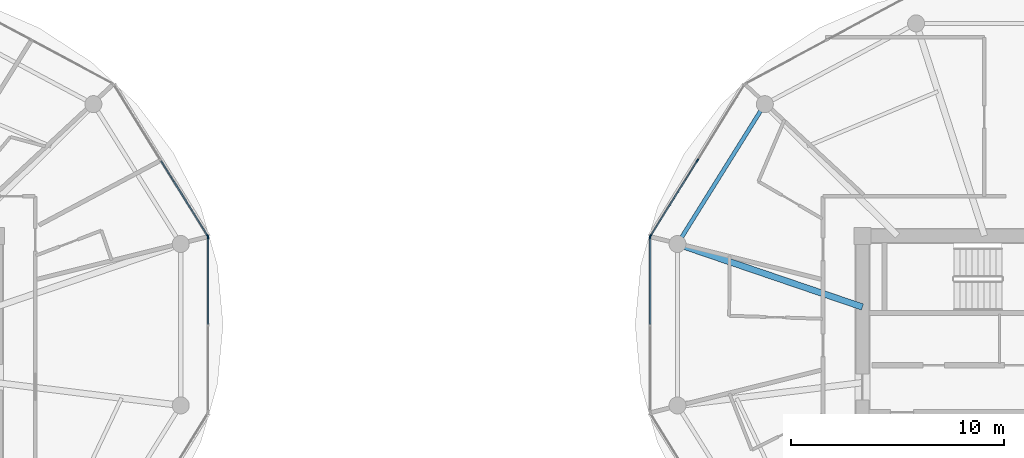
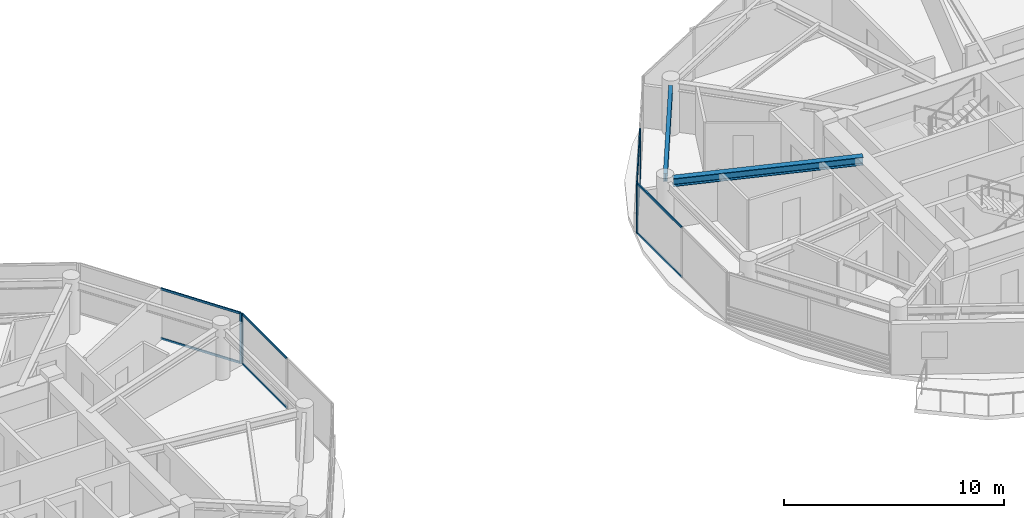
# One storey, part 7 of 24: 13 members, 2 beams, 4 elements without a shape of their own.
"""IFC4 building model written with IfcOpenShell, lengths in metres."""

from ifc_helpers import new_model, si_unit, direction, frame, origin, origin_2d, place, context, subcontext, project, spatial, rectangle, i_section, extrude, source, transform, mapped, material, layer, layer_set, material_profile, profile_set, type_object, type_shapes, element, aggregate, save


model = new_model("IFC4")

# Units and contexts
model_context = context("Model", 3, precision=1e-05, world=origin(), true_north=direction((0.0, 1.0)))
body_context = subcontext(model_context, "Body", "Model", "MODEL_VIEW")
ifc_project = project(units=[si_unit("LENGTHUNIT", "METRE"), si_unit("AREAUNIT", "SQUARE_METRE"), si_unit("VOLUMEUNIT", "CUBIC_METRE"), si_unit("PLANEANGLEUNIT", "RADIAN"), si_unit("MASSUNIT", "GRAM", prefix="KILO")], contexts=[model_context])

# Site, building, storey
site_placement = place(None, origin())
site = spatial("IfcSite", under=ifc_project, at=site_placement, CompositionType="ELEMENT")
building_placement = place(site_placement, origin())
building = spatial("IfcBuilding", under=site, at=building_placement, Name="Norrkilde Senior Care Towers", CompositionType="ELEMENT")
storey_placement = place(building_placement, frame((0.0, 0.0, 155.64990234375)))
storey = spatial("IfcBuildingStorey", under=building, at=storey_placement, Name="L48", CompositionType="ELEMENT", Elevation=155.64990234375)

# Beams
ifc_material_1 = material(Name="Steel S355", Category="steel")
ifc_material_profile_1 = material_profile(ifc_material_1, i_section(OverallWidth=0.18994140625, OverallDepth=0.449951171875, WebThickness=0.009521484375, FlangeThickness=0.0146484375, FilletRadius=0.02099609375, at=origin_2d()), Name="IPE 450")
ifc_profile_set_1 = profile_set([ifc_material_profile_1], Name="Steel S355")
beam_type_1 = type_object("IfcBeamType", Name="Perimeter Ring Spandrel Z3 IPE450", PredefinedType="SPANDREL", material=ifc_profile_set_1)
shared_shape_1 = source(origin(), body_context, "Body", "SweptSolid", [
    extrude(i_section(OverallWidth=0.18994140625, OverallDepth=0.449951171875, WebThickness=0.009521484375, FlangeThickness=0.0146484375, FilletRadius=0.02099609375, at=origin_2d()), origin(), (0.0, 0.0, 1.0), 7.0234375),
])
type_shapes(beam_type_1, [shared_shape_1])
beam_1_placement = place(storey_placement, frame((15.57666015625, 11.8291015625, 2.585205078125), z_axis=(-0.529789577822, -0.848129119433, 0.0), x_axis=(0.848129119433, -0.529789577822, 0.0)))
element("IfcBeam", 1, at=beam_1_placement, inside=storey, type_object=beam_type_1, Name="L48 Drum E Perimeter Spandrel 05", PredefinedType="SPANDREL", context=body_context, shape_type="MappedRepresentation", body=[
    mapped(shared_shape_1, transform((0.0, 0.0, 0.0), x_axis=(1.0, 0.0, 0.0), y_axis=(0.0, 1.0, 0.0), z_axis=(0.0, 0.0, 1.0), scale=1.0)),
])
ifc_material_profile_2 = material_profile(ifc_material_1, i_section(OverallWidth=0.300048828125, OverallDepth=0.449951171875, WebThickness=0.013916015625, FlangeThickness=0.02587890625, FilletRadius=0.027099609375, at=origin_2d()), Name="HEB 450")
ifc_profile_set_2 = profile_set([ifc_material_profile_2], Name="Steel S355")
beam_type_2 = type_object("IfcBeamType", Name="Radial Floor Beam Z3 HEB450", PredefinedType="BEAM", material=ifc_profile_set_2)
shared_shape_2 = source(origin(), body_context, "Body", "SweptSolid", [
    extrude(i_section(OverallWidth=0.300048828125, OverallDepth=0.449951171875, WebThickness=0.013916015625, FlangeThickness=0.02587890625, FilletRadius=0.027099609375, at=origin_2d()), origin(), (0.0, 0.0, 1.0), 8.8154296875),
])
type_shapes(beam_type_2, [shared_shape_2])
beam_2_placement = place(storey_placement, frame((20.35009765625, 2.607177734375, 2.585205078125), z_axis=(-0.946540556878, 0.322584832539, 0.0), x_axis=(-0.322584832539, -0.946540556878, 0.0)))
element("IfcBeam", 2, at=beam_2_placement, inside=storey, type_object=beam_type_2, Name="L48 Drum E Radial Floor Beam 06", PredefinedType="BEAM", context=body_context, shape_type="MappedRepresentation", body=[
    mapped(shared_shape_2, transform((0.0, 0.0, 0.0), x_axis=(1.0, 0.0, 0.0), y_axis=(0.0, 1.0, 0.0), z_axis=(0.0, 0.0, 1.0), scale=1.0)),
])

# Curtain wall, member
ifc_material_2 = material(Name="Triple Low-E Insulated Glazing", Category="glass")
ifc_layer = layer(ifc_material_2, 0.18994140625)
ifc_layer_set = layer_set([ifc_layer], Name="Triple Low-E Insulated Glazing")
curtain_wall_type = type_object("IfcCurtainWallType", Name="CW4 Zone 3 Senior Residence Curtain Wall", PredefinedType="NOTDEFINED", material=ifc_layer_set)
curtain_wall_1_placement = place(storey_placement, origin())
curtain_wall_1 = element("IfcCurtainWall", 3, at=curtain_wall_1_placement, inside=storey, type_object=curtain_wall_type, Name="L48 Drum W Curtain Wall 00", PredefinedType="NOTDEFINED")
ifc_material_3 = material(Name="Anodised Aluminium", Category="aluminium")
ifc_material_profile_3 = material_profile(ifc_material_3, rectangle(XDim=0.06494140625, YDim=0.14990234375, at=origin_2d()), Name="ALU MULL 65x150")
ifc_profile_set_3 = profile_set([ifc_material_profile_3], Name="Anodised Aluminium")
member_type_1 = type_object("IfcMemberType", Name="Curtain Wall Mullion Z3-Z4 65x150", PredefinedType="MULLION", material=ifc_profile_set_3)
shared_shape_3 = source(origin(), body_context, "Body", "SweptSolid", [
    extrude(rectangle(XDim=0.06494140625, YDim=0.14990234375, at=origin_2d()), origin(), (0.0, 0.0, 1.0), 2.81005859375),
])
type_shapes(member_type_1, [shared_shape_3])
member_1_placement = place(storey_placement, frame((-10.3974609375, 5.93896484375, 0.0), z_axis=(0.0, 0.0, 1.0), x_axis=(0.84963405474, 0.52737270789, 0.0)))
member_1 = element("IfcMember", 4, at=member_1_placement, type_object=member_type_1, Name="CW-4 mullion 3", PredefinedType="MULLION", context=body_context, shape_type="MappedRepresentation", body=[
    mapped(shared_shape_3, transform((0.0, 0.0, 0.0), x_axis=(1.0, 0.0, 0.0), y_axis=(0.0, 1.0, 0.0), z_axis=(0.0, 0.0, 1.0), scale=1.0)),
])

curtain_wall_2_placement = place(storey_placement, origin())
curtain_wall_2 = element("IfcCurtainWall", 5, at=curtain_wall_2_placement, inside=storey, type_object=curtain_wall_type, Name="L48 Drum W Curtain Wall 11", PredefinedType="NOTDEFINED")
member_2_placement = place(storey_placement, frame((-10.38037109375, 5.878662109375, 0.0), z_axis=(0.0, 0.0, 1.0), x_axis=(1.0, 0.0, 0.0)))
member_2 = element("IfcMember", 6, at=member_2_placement, type_object=member_type_1, Name="CW-4 mullion 1", PredefinedType="MULLION", context=body_context, shape_type="MappedRepresentation", body=[
    mapped(shared_shape_3, transform((0.0, 0.0, 0.0), x_axis=(1.0, 0.0, 0.0), y_axis=(0.0, 1.0, 0.0), z_axis=(0.0, 0.0, 1.0), scale=1.0)),
])

# Curtain wall, members
curtain_wall_3_placement = place(storey_placement, origin())
curtain_wall_3 = element("IfcCurtainWall", 7, at=curtain_wall_3_placement, inside=storey, type_object=curtain_wall_type, Name="L48 Drum E Curtain Wall 04", PredefinedType="NOTDEFINED")
member_3_placement = place(storey_placement, frame((10.3974609375, 5.93896484375, 0.0), z_axis=(0.0, 0.0, 1.0), x_axis=(-0.84963405474, 0.52737270789, 0.0)))
member_3 = element("IfcMember", 8, at=member_3_placement, type_object=member_type_1, Name="CW-4 mullion 1", PredefinedType="MULLION", context=body_context, shape_type="MappedRepresentation", body=[
    mapped(shared_shape_3, transform((0.0, 0.0, 0.0), x_axis=(1.0, 0.0, 0.0), y_axis=(0.0, 1.0, 0.0), z_axis=(0.0, 0.0, 1.0), scale=1.0)),
])
member_4_placement = place(storey_placement, frame((12.603759765625, 9.4931640625, 0.0), z_axis=(0.0, 0.0, 1.0), x_axis=(-0.84963405474, 0.52737270789, 0.0)))
member_4 = element("IfcMember", 9, at=member_4_placement, type_object=member_type_1, Name="CW-4 mullion 2", PredefinedType="MULLION", context=body_context, shape_type="MappedRepresentation", body=[
    mapped(shared_shape_3, transform((0.0, 0.0, 0.0), x_axis=(1.0, 0.0, 0.0), y_axis=(0.0, 1.0, 0.0), z_axis=(0.0, 0.0, 1.0), scale=1.0)),
])

# Curtain wall, member
curtain_wall_4_placement = place(storey_placement, origin())
curtain_wall_4 = element("IfcCurtainWall", 10, at=curtain_wall_4_placement, inside=storey, type_object=curtain_wall_type, Name="L48 Drum E Curtain Wall 05", PredefinedType="NOTDEFINED")
member_5_placement = place(storey_placement, frame((10.38037109375, 5.878662109375, 0.0), z_axis=(0.0, 0.0, 1.0), x_axis=(-1.0, 0.0, 0.0)))
member_5 = element("IfcMember", 11, at=member_5_placement, type_object=member_type_1, Name="CW-4 mullion 3", PredefinedType="MULLION", context=body_context, shape_type="MappedRepresentation", body=[
    mapped(shared_shape_3, transform((0.0, 0.0, 0.0), x_axis=(1.0, 0.0, 0.0), y_axis=(0.0, 1.0, 0.0), z_axis=(0.0, 0.0, 1.0), scale=1.0)),
])

# Member
ifc_material_profile_4 = material_profile(ifc_material_3, rectangle(XDim=0.06005859375, YDim=0.1201171875, at=origin_2d()), Name="ALU TRAN 60x120")
ifc_profile_set_4 = profile_set([ifc_material_profile_4], Name="Anodised Aluminium")
member_type_2 = type_object("IfcMemberType", Name="Curtain Wall Transom Typical 60x120", PredefinedType="USERDEFINED", material=ifc_profile_set_4)
shared_shape_4 = source(origin(), body_context, "Body", "SweptSolid", [
    extrude(rectangle(XDim=0.06005859375, YDim=0.1201171875, at=origin_2d()), origin(), (0.0, 0.0, 1.0), 4.1181640625),
])
member_6_placement = place(storey_placement, frame((-12.58642578125, 9.465576171875, 0.030029296875), z_axis=(0.527331870867, -0.849659401153, 0.0), x_axis=(0.849659401153, 0.527331870867, 0.0)))
member_6 = element("IfcMember", 12, at=member_6_placement, type_object=member_type_2, Name="CW-4 transom 2.1", ObjectType="TRANSOM", PredefinedType="USERDEFINED", context=body_context, shape_type="MappedRepresentation", body=[
    mapped(shared_shape_4, transform((0.0, 0.0, 0.0), x_axis=(1.0, 0.0, 0.0), y_axis=(0.0, 1.0, 0.0), z_axis=(0.0, 0.0, 1.0), scale=1.0)),
])

member_7_placement = place(storey_placement, frame((-12.58642578125, 9.465576171875, 2.780029296875), z_axis=(0.527331870867, -0.849659401153, 0.0), x_axis=(0.849659401153, 0.527331870867, 0.0)))
member_7 = element("IfcMember", 13, at=member_7_placement, type_object=member_type_2, Name="CW-4 transom 2.2", ObjectType="TRANSOM", PredefinedType="USERDEFINED", context=body_context, shape_type="MappedRepresentation", body=[
    mapped(shared_shape_4, transform((0.0, 0.0, 0.0), x_axis=(1.0, 0.0, 0.0), y_axis=(0.0, 1.0, 0.0), z_axis=(0.0, 0.0, 1.0), scale=1.0)),
])

aggregate(curtain_wall_1, [member_1, member_6, member_7])

member_8_placement = place(storey_placement, frame((10.414794921875, 5.966552734375, 0.030029296875), z_axis=(0.527331870867, 0.849659401153, 0.0), x_axis=(-0.849659401153, 0.527331870867, 0.0)))
member_8 = element("IfcMember", 14, at=member_8_placement, type_object=member_type_2, Name="CW-4 transom 1.1", ObjectType="TRANSOM", PredefinedType="USERDEFINED", context=body_context, shape_type="MappedRepresentation", body=[
    mapped(shared_shape_4, transform((0.0, 0.0, 0.0), x_axis=(1.0, 0.0, 0.0), y_axis=(0.0, 1.0, 0.0), z_axis=(0.0, 0.0, 1.0), scale=1.0)),
])

member_9_placement = place(storey_placement, frame((10.414794921875, 5.966552734375, 2.780029296875), z_axis=(0.527331870867, 0.849659401153, 0.0), x_axis=(-0.849659401153, 0.527331870867, 0.0)))
member_9 = element("IfcMember", 15, at=member_9_placement, type_object=member_type_2, Name="CW-4 transom 1.2", ObjectType="TRANSOM", PredefinedType="USERDEFINED", context=body_context, shape_type="MappedRepresentation", body=[
    mapped(shared_shape_4, transform((0.0, 0.0, 0.0), x_axis=(1.0, 0.0, 0.0), y_axis=(0.0, 1.0, 0.0), z_axis=(0.0, 0.0, 1.0), scale=1.0)),
])

aggregate(curtain_wall_3, [member_3, member_4, member_8, member_9])

shared_shape_5 = source(origin(), body_context, "Body", "SweptSolid", [
    extrude(rectangle(XDim=0.06005859375, YDim=0.1201171875, at=origin_2d()), origin(), (0.0, 0.0, 1.0), 4.038330078125),
])
type_shapes(member_type_2, [shared_shape_4, shared_shape_5])
member_10_placement = place(storey_placement, frame((-10.38037109375, 5.84619140625, 0.030029296875), z_axis=(0.0, -1.0, 0.0), x_axis=(1.0, 0.0, 0.0)))
member_10 = element("IfcMember", 16, at=member_10_placement, type_object=member_type_2, Name="CW-4 transom 1.1", ObjectType="TRANSOM", PredefinedType="USERDEFINED", context=body_context, shape_type="MappedRepresentation", body=[
    mapped(shared_shape_5, transform((0.0, 0.0, 0.0), x_axis=(1.0, 0.0, 0.0), y_axis=(0.0, 1.0, 0.0), z_axis=(0.0, 0.0, 1.0), scale=1.0)),
])

member_11_placement = place(storey_placement, frame((-10.38037109375, 5.84619140625, 2.780029296875), z_axis=(0.0, -1.0, 0.0), x_axis=(1.0, 0.0, 0.0)))
member_11 = element("IfcMember", 17, at=member_11_placement, type_object=member_type_2, Name="CW-4 transom 1.2", ObjectType="TRANSOM", PredefinedType="USERDEFINED", context=body_context, shape_type="MappedRepresentation", body=[
    mapped(shared_shape_5, transform((0.0, 0.0, 0.0), x_axis=(1.0, 0.0, 0.0), y_axis=(0.0, 1.0, 0.0), z_axis=(0.0, 0.0, 1.0), scale=1.0)),
])

aggregate(curtain_wall_2, [member_2, member_10, member_11])

member_12_placement = place(storey_placement, frame((10.38037109375, 1.807861328125, 0.030029296875), z_axis=(0.0, 1.0, 0.0), x_axis=(-1.0, 0.0, 0.0)))
member_12 = element("IfcMember", 18, at=member_12_placement, type_object=member_type_2, Name="CW-4 transom 2.1", ObjectType="TRANSOM", PredefinedType="USERDEFINED", context=body_context, shape_type="MappedRepresentation", body=[
    mapped(shared_shape_5, transform((0.0, 0.0, 0.0), x_axis=(1.0, 0.0, 0.0), y_axis=(0.0, 1.0, 0.0), z_axis=(0.0, 0.0, 1.0), scale=1.0)),
])

member_13_placement = place(storey_placement, frame((10.38037109375, 1.807861328125, 2.780029296875), z_axis=(0.0, 1.0, 0.0), x_axis=(-1.0, 0.0, 0.0)))
member_13 = element("IfcMember", 19, at=member_13_placement, type_object=member_type_2, Name="CW-4 transom 2.2", ObjectType="TRANSOM", PredefinedType="USERDEFINED", context=body_context, shape_type="MappedRepresentation", body=[
    mapped(shared_shape_5, transform((0.0, 0.0, 0.0), x_axis=(1.0, 0.0, 0.0), y_axis=(0.0, 1.0, 0.0), z_axis=(0.0, 0.0, 1.0), scale=1.0)),
])

aggregate(curtain_wall_4, [member_5, member_12, member_13])

save(model, "model.ifc")
